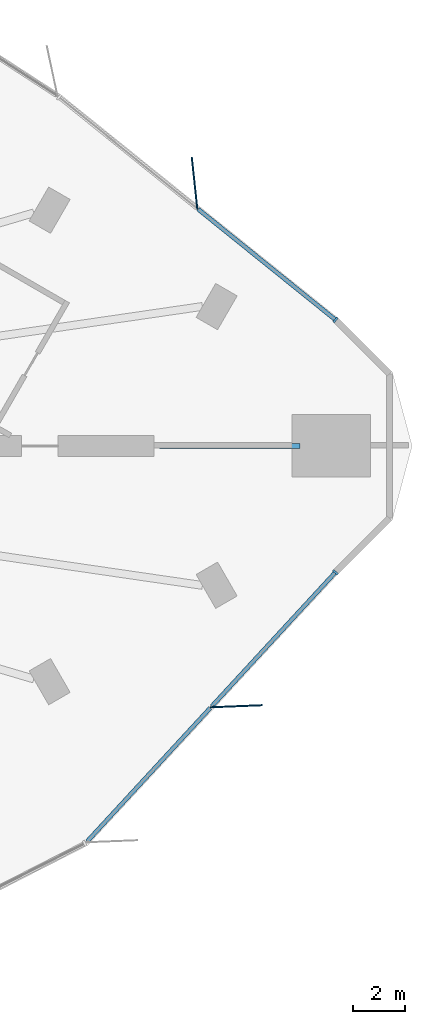
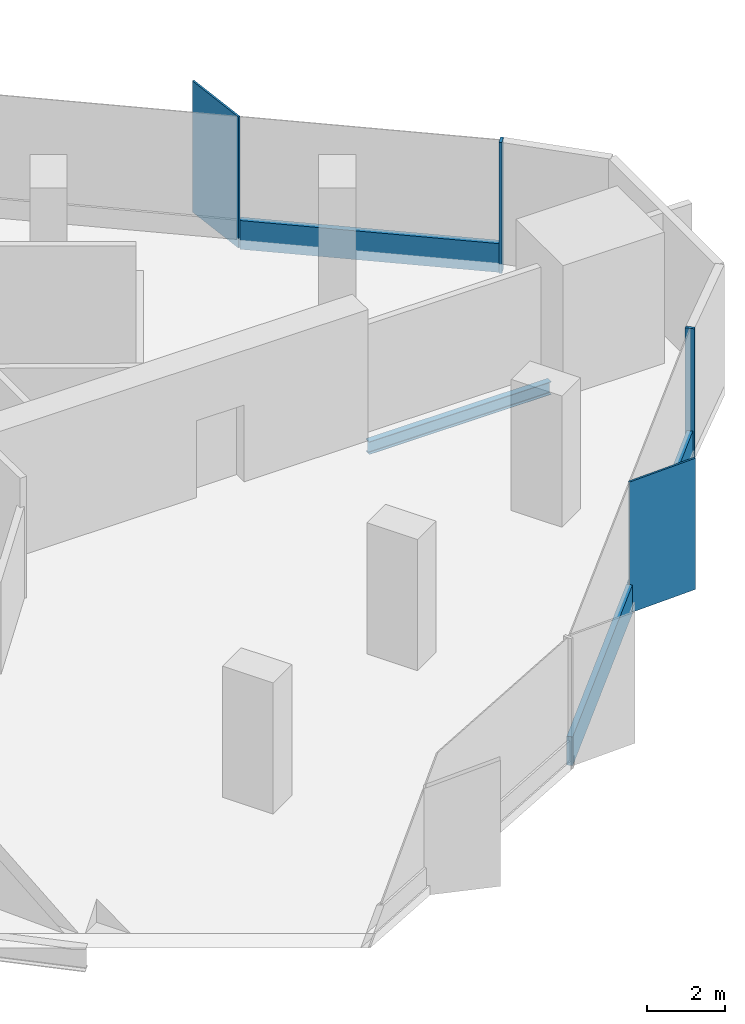
# One storey, part 6 of 14: 7 members, 1 beam, 2 elements without a shape of their own.
"""IFC4 building model written with IfcOpenShell, lengths in metres."""

from ifc_helpers import new_model, si_unit, direction, frame, origin, origin_2d, place, context, subcontext, project, spatial, rectangle, i_section, extrude, material, material_profile, profile_set, type_object, element, aggregate, save


model = new_model("IFC4")

# Units and contexts
model_context = context("Model", 3, precision=1e-05, world=origin(), true_north=direction((0.0, 1.0)))
body_context = subcontext(model_context, "Body", "Model", "MODEL_VIEW")
ifc_project = project(units=[si_unit("LENGTHUNIT", "METRE"), si_unit("AREAUNIT", "SQUARE_METRE"), si_unit("VOLUMEUNIT", "CUBIC_METRE"), si_unit("PLANEANGLEUNIT", "RADIAN"), si_unit("MASSUNIT", "GRAM", prefix="KILO")], contexts=[model_context])

# Site, building, storey
site_placement = place(None, origin())
site = spatial("IfcSite", under=ifc_project, at=site_placement, CompositionType="ELEMENT")
building_placement = place(site_placement, origin())
building = spatial("IfcBuilding", under=site, at=building_placement, Name="Tanit Gate Tower", CompositionType="ELEMENT")
storey_placement = place(building_placement, frame((0.0, 0.0, 70.10009765625)))
storey = spatial("IfcBuildingStorey", under=building, at=storey_placement, Name="L13", CompositionType="ELEMENT", Elevation=70.10009765625)

# Curtain wall, member
ifc_material_1 = material(Name="Aluminium bronze anodised and glass", Category="aluminium")
curtain_wall_type = type_object("IfcCurtainWallType", Name="Curtain wall typical low", PredefinedType="NOTDEFINED", material=ifc_material_1)
curtain_wall_1_placement = place(storey_placement, origin())
curtain_wall_1 = element("IfcCurtainWall", 1, at=curtain_wall_1_placement, inside=storey, type_object=curtain_wall_type, Name="Curtain wall L13 NE1", PredefinedType="NOTDEFINED")
ifc_material_2 = material(Name="Aluminium bronze anodised", Category="aluminium")
ifc_material_profile_1 = material_profile(ifc_material_2, rectangle(XDim=2.0, YDim=0.055908203125, at=origin_2d()), Name="56x2000 bronze fin mullion")
ifc_profile_set_1 = profile_set([ifc_material_profile_1], Name="Aluminium bronze anodised")
member_type_1 = type_object("IfcMemberType", Name="FIN MULLION 56x2000 bronze", PredefinedType="MULLION", material=ifc_profile_set_1)
member_1_placement = place(storey_placement, frame((36.37646484375, 10.07177734375, -0.300048828125), z_axis=(0.0, 0.0, 1.0), x_axis=(0.107016792677, -0.994257213243, 0.0)))
member_1 = element("IfcMember", 2, at=member_1_placement, type_object=member_type_1, Name="Fin mullion L13 NE1.2", PredefinedType="MULLION", context=body_context, shape_type="SweptSolid", body=[
    extrude(rectangle(XDim=2.0, YDim=0.055908203125, at=origin_2d()), origin(), (0.0, 0.0, 1.0), 4.099853515625),
])

curtain_wall_2_placement = place(storey_placement, origin())
curtain_wall_2 = element("IfcCurtainWall", 3, at=curtain_wall_2_placement, inside=storey, type_object=curtain_wall_type, Name="Curtain wall L13 SE3", PredefinedType="NOTDEFINED")
member_2_placement = place(storey_placement, frame((37.979736328125, -9.976806640625, -0.300048828125), z_axis=(0.0, 0.0, 1.0), x_axis=(-0.999188560879, -0.040276789942, 0.0)))
member_2 = element("IfcMember", 4, at=member_2_placement, type_object=member_type_1, Name="Fin mullion L13 SE3.2", PredefinedType="MULLION", context=body_context, shape_type="SweptSolid", body=[
    extrude(rectangle(XDim=2.0, YDim=0.055908203125, at=origin_2d()), origin(), (0.0, 0.0, 1.0), 4.099853515625),
])

# Member
ifc_material_3 = material(Name="Aluminium bronze anodised", Category="aluminium")
ifc_material_profile_2 = material_profile(ifc_material_3, rectangle(XDim=0.239990234375, YDim=0.080078125, at=origin_2d()), Name="80x240 bronze mullion")
ifc_profile_set_2 = profile_set([ifc_material_profile_2], Name="Aluminium bronze anodised")
member_type_2 = type_object("IfcMemberType", Name="Mullion 80x240 typical low", PredefinedType="MULLION", material=ifc_profile_set_2)
member_3_placement = place(storey_placement, frame((41.77685546875, 4.833251953125, -0.300048828125), z_axis=(0.0, 0.0, 1.0), x_axis=(-0.627373717925, -0.77871831753, 0.0)))
member_3 = element("IfcMember", 5, at=member_3_placement, type_object=member_type_2, Name="Mullion L13 NE1.1", PredefinedType="MULLION", context=body_context, shape_type="SweptSolid", body=[
    extrude(rectangle(XDim=0.239990234375, YDim=0.080078125, at=origin_2d()), origin(), (0.0, 0.0, 1.0), 4.099853515625),
])

member_4_placement = place(storey_placement, frame((41.774658203125, -4.843994140625, -0.300048828125), z_axis=(0.0, 0.0, 1.0), x_axis=(-0.735012998374, 0.678053015789, 0.0)))
member_4 = element("IfcMember", 6, at=member_4_placement, type_object=member_type_2, Name="Mullion L13 SE3.3", PredefinedType="MULLION", context=body_context, shape_type="SweptSolid", body=[
    extrude(rectangle(XDim=0.239990234375, YDim=0.080078125, at=origin_2d()), origin(), (0.0, 0.0, 1.0), 4.099853515625),
])

# Beam
ifc_material_4 = material(Name="Steel S355", Category="steel")
ifc_material_profile_3 = material_profile(ifc_material_4, i_section(OverallWidth=0.179931640625, OverallDepth=0.39990234375, WebThickness=0.008544921875, FlangeThickness=0.013427734375, FilletRadius=0.02099609375, at=origin_2d()), Name="IPE 400")
ifc_profile_set_3 = profile_set([ifc_material_profile_3], Name="Steel S355")
beam_type = type_object("IfcBeamType", Name="RADIAL GIRDER IPE 400 S355", PredefinedType="BEAM", material=ifc_profile_set_3)
beam_placement = place(storey_placement, frame((40.41357421875, 0.0, -0.5), z_axis=(-1.0, 0.0, 0.0), x_axis=(0.0, -1.0, 0.0)))
element("IfcBeam", 7, at=beam_placement, inside=storey, type_object=beam_type, Name="RADIAL GIRDER", PredefinedType="BEAM", context=body_context, shape_type="SweptSolid", body=[
    extrude(i_section(OverallWidth=0.179931640625, OverallDepth=0.39990234375, WebThickness=0.008544921875, FlangeThickness=0.013427734375, FilletRadius=0.02099609375, at=origin_2d()), origin(), (0.0, 0.0, 1.0), 5.3798828125),
])

# Member
ifc_material_5 = material(Name="Aluminium bronze anodised", Category="aluminium")
ifc_material_profile_4 = material_profile(ifc_material_5, rectangle(XDim=0.159912109375, YDim=0.89990234375, at=origin_2d()), Name="160x900 bronze transom")
ifc_profile_set_4 = profile_set([ifc_material_profile_4], Name="Aluminium bronze anodised")
member_type_3 = type_object("IfcMemberType", Name="Transom 160x900 typical low", PredefinedType="USERDEFINED", material=ifc_profile_set_4)
member_5_placement = place(storey_placement, frame((41.745849609375, 4.8583984375, 0.14990234375), z_axis=(-0.778712992198, 0.627380327856, 0.0), x_axis=(-0.627380327856, -0.778712992198, 0.0)))
member_5 = element("IfcMember", 8, at=member_5_placement, type_object=member_type_3, Name="Transom L13 NE1.1", ObjectType="TRANSOM", PredefinedType="USERDEFINED", context=body_context, shape_type="SweptSolid", body=[
    extrude(rectangle(XDim=0.159912109375, YDim=0.89990234375, at=origin_2d()), origin(), (0.0, 0.0, 1.0), 6.720947265625),
])

aggregate(curtain_wall_1, [member_3, member_1, member_5])

member_6_placement = place(storey_placement, frame((32.259033203125, -15.158935546875, 0.14990234375), z_axis=(0.678036655159, 0.735028090797, 0.0), x_axis=(-0.735028090797, 0.678036655159, 0.0)))
member_6 = element("IfcMember", 9, at=member_6_placement, type_object=member_type_3, Name="Transom L13 SE3.1", ObjectType="TRANSOM", PredefinedType="USERDEFINED", context=body_context, shape_type="SweptSolid", body=[
    extrude(rectangle(XDim=0.159912109375, YDim=0.89990234375, at=origin_2d()), origin(), (0.0, 0.0, 1.0), 6.95703125),
])

member_7_placement = place(storey_placement, frame((37.030517578125, -9.986572265625, 0.14990234375), z_axis=(0.67805414505, 0.735011956624, 0.0), x_axis=(-0.735011956624, 0.67805414505, 0.0)))
member_7 = element("IfcMember", 10, at=member_7_placement, type_object=member_type_3, Name="Transom L13 SE3.2", ObjectType="TRANSOM", PredefinedType="USERDEFINED", context=body_context, shape_type="SweptSolid", body=[
    extrude(rectangle(XDim=0.159912109375, YDim=0.89990234375, at=origin_2d()), origin(), (0.0, 0.0, 1.0), 6.956787109375),
])

aggregate(curtain_wall_2, [member_2, member_4, member_6, member_7])

save(model, "model.ifc")
